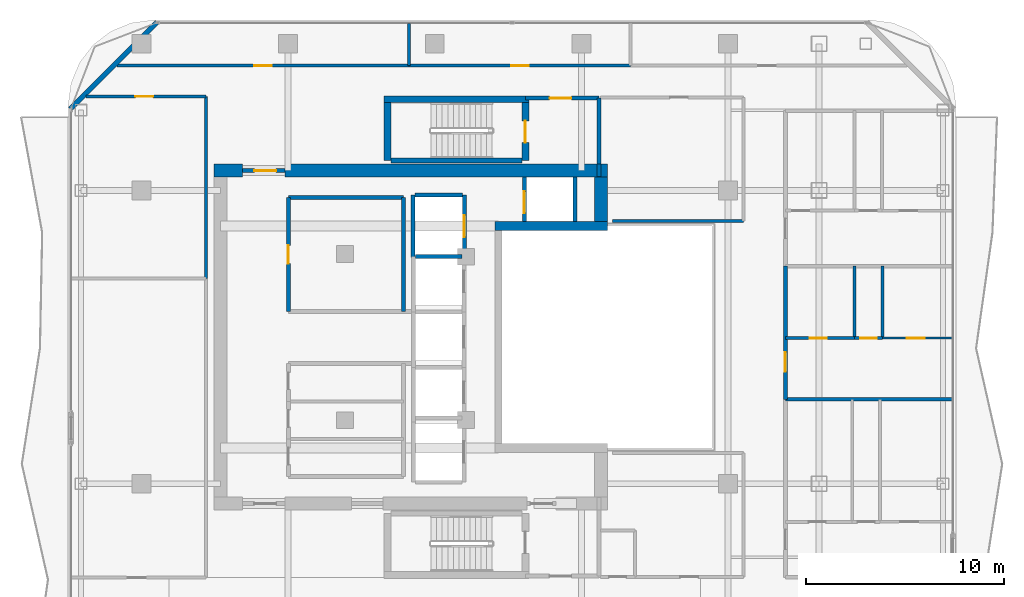
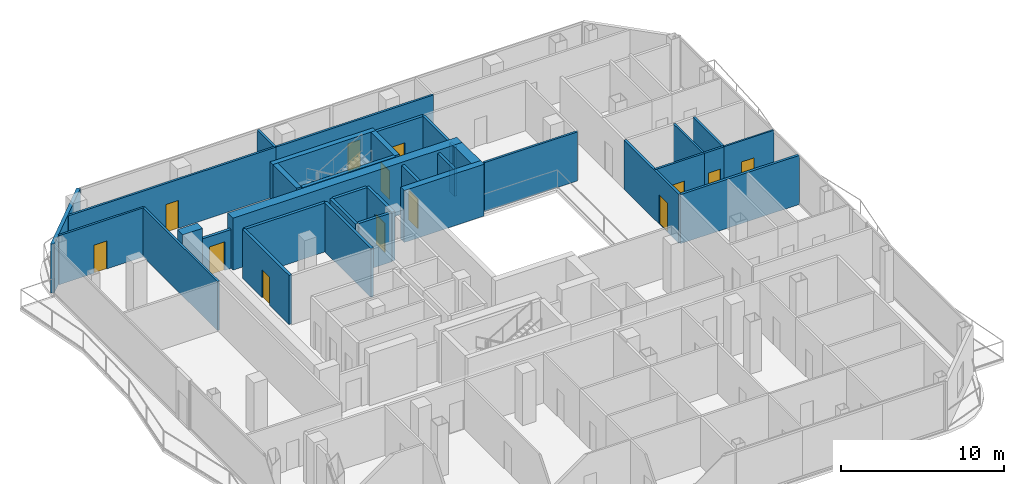
# One storey, part 23 of 27: 35 walls, 13 doors, 13 openings.
"""IFC4 building model written with IfcOpenShell, lengths in metres."""

from ifc_helpers import new_model, si_unit, direction, frame, frame_2d, origin, place, context, subcontext, project, spatial, rectangle, extrude, material, layer, layer_set, type_object, element, fill, save


model = new_model("IFC4")

# Units and contexts
model_context = context("Model", 3, precision=1e-05, world=origin(), true_north=direction((0.0, 1.0)))
body_context = subcontext(model_context, "Body", "Model", "MODEL_VIEW")
ifc_project = project(units=[si_unit("LENGTHUNIT", "METRE"), si_unit("AREAUNIT", "SQUARE_METRE"), si_unit("VOLUMEUNIT", "CUBIC_METRE"), si_unit("PLANEANGLEUNIT", "RADIAN"), si_unit("MASSUNIT", "GRAM", prefix="KILO")], contexts=[model_context])

# Site, building, storey
site_placement = place(None, origin())
site = spatial("IfcSite", under=ifc_project, at=site_placement, CompositionType="ELEMENT")
building_placement = place(site_placement, origin())
building = spatial("IfcBuilding", under=site, at=building_placement, Name="Khorvyn Point Tower", CompositionType="ELEMENT")
storey_placement = place(building_placement, frame((0.0, 0.0, 243.0)))
storey = spatial("IfcBuildingStorey", under=building, at=storey_placement, Name="L59", CompositionType="ELEMENT", Elevation=243.0)

# Wall, opening, door
ifc_material_1 = material(Name="Double acoustic gypsum on twin steel stud", Category="steel")
ifc_layer_1 = layer(ifc_material_1, 0.179931640625)
ifc_layer_set_1 = layer_set([ifc_layer_1], Name="Acoustic Double-Stud Apartment Demising Wall 180")
wall_type_1 = type_object("IfcWallType", Name="Acoustic Double-Stud Apartment Demising Wall 180", PredefinedType="PARTITIONING", material=ifc_layer_set_1)
wall_1_placement = place(storey_placement, frame((17.699951171875, -3.139892578125, 0.0), z_axis=(0.0, 0.0, 1.0), x_axis=(0.0, 1.0, 0.0)))
wall_1 = element("IfcWall", 1, at=wall_1_placement, inside=storey, type_object=wall_type_1, Name="Wall", PredefinedType="PARTITIONING", context=body_context, shape_type="SweptSolid", body=[
    extrude(rectangle(XDim=6.719970703125, YDim=0.179931640625, at=frame_2d((3.35986328125, 0.0))), origin(), (0.0, 0.0, 1.0), 3.679931640625),
])
opening_1_placement = place(wall_1_placement, frame((1.37939453125, 0.0, 0.0)))
opening_1 = element("IfcOpeningElement", 2, at=opening_1_placement, cuts=wall_1, Name="Opening ID-AP60", PredefinedType="OPENING", context=body_context, shape_type="SweptSolid", body=[
    extrude(rectangle(XDim=1.0, YDim=2.199951171875, at=frame_2d((0.5, 1.10009765625))), frame((0.0, 0.099853515625, 0.0), z_axis=(0.0, -1.0, 0.0), x_axis=(1.0, 0.0, 0.0)), (0.0, 0.0, 1.0), 0.199951171875),
])
ifc_material_2 = material(Name="Engineered hardwood fire-rated leaf", Category="wood")
door_type_1 = type_object("IfcDoorType", Name="Acoustic Solid-Core Timber Apartment Entrance Door 1000x2200", OperationType="NOTDEFINED", PredefinedType="DOOR", material=ifc_material_2)
door_1_placement = place(opening_1_placement, origin())
door_1 = element("IfcDoor", 3, at=door_1_placement, inside=storey, type_object=door_type_1, Name="Door", OperationType="SINGLE_SWING_LEFT", OverallHeight=2.199951171875, OverallWidth=1.0, PredefinedType="DOOR", context=body_context, shape_type="SweptSolid", body=[
    extrude(rectangle(XDim=1.0, YDim=2.199951171875, at=frame_2d((0.5, 1.10009765625))), frame((0.0, 0.02490234375, 0.0), z_axis=(0.0, -1.0, 0.0), x_axis=(1.0, 0.0, 0.0)), (0.0, 0.0, 1.0), 0.050048828125),
])
fill(opening_1, door_1)

# Walls
wall_2_placement = place(storey_placement, frame((17.699951171875, -3.139892578125, 0.0), z_axis=(0.0, 0.0, 1.0), x_axis=(1.0, 0.0, 0.0)))
element("IfcWall", 4, at=wall_2_placement, inside=storey, type_object=wall_type_1, Name="Wall", PredefinedType="PARTITIONING", context=body_context, shape_type="SweptSolid", body=[
    extrude(rectangle(XDim=8.429931640625, YDim=0.179931640625, at=frame_2d((4.21484375, 0.0))), origin(), (0.0, 0.0, 1.0), 3.679931640625),
])
ifc_material_3 = material(Name="Pale anodised aluminium rainscreen on steel stud", Category="steel")
ifc_layer_2 = layer(ifc_material_3, 0.239990234375)
ifc_layer_set_2 = layer_set([ifc_layer_2], Name="Anodised Aluminium Insulated Corner Spandrel Wall 240")
wall_type_2 = type_object("IfcWallType", Name="Anodised Aluminium Insulated Corner Spandrel Wall 240", PredefinedType="SOLIDWALL", material=ifc_layer_set_2)
wall_3_placement = place(storey_placement, frame((-18.392333984375, 11.507568359375, 0.0), z_axis=(0.0, 0.0, 1.0), x_axis=(0.707106781187, 0.707106781187, 0.0)))
element("IfcWall", 5, at=wall_3_placement, inside=storey, type_object=wall_type_2, Name="L59 Rounded Corner Wall NW", PredefinedType="SOLIDWALL", context=body_context, shape_type="SweptSolid", body=[
    extrude(rectangle(XDim=6.200927734375, YDim=0.239990234375, at=frame_2d((3.1005859375, 0.0))), origin(), (0.0, 0.0, 1.0), 3.679931640625),
])
ifc_material_4 = material(Name="Concrete C40/50", Category="concrete")
ifc_layer_3 = layer(ifc_material_4, 0.449951171875)
ifc_layer_set_3 = layer_set([ifc_layer_3], Name="Concrete C40/50 Core Shear Wall 450")
wall_type_3 = type_object("IfcWallType", Name="Concrete C40/50 Core Shear Wall 450", PredefinedType="SHEAR", material=ifc_layer_set_3)
wall_4_placement = place(storey_placement, frame((3.044921875, 5.60009765625, 0.0), z_axis=(0.0, 0.0, 1.0), x_axis=(1.0, 0.0, 0.0)))
element("IfcWall", 6, at=wall_4_placement, inside=storey, type_object=wall_type_3, Name="Wall", PredefinedType="SHEAR", context=body_context, shape_type="SweptSolid", body=[
    extrude(rectangle(XDim=5.68017578125, YDim=0.449951171875, at=frame_2d((2.840087890625, 0.0))), origin(), (0.0, 0.0, 1.0), 3.89990234375),
])
ifc_layer_4 = layer(ifc_material_4, 0.64990234375)
ifc_layer_set_4 = layer_set([ifc_layer_4], Name="Concrete C40/50 Core Shear Wall 650")
wall_type_4 = type_object("IfcWallType", Name="Concrete C40/50 Core Shear Wall 650", PredefinedType="SHEAR", material=ifc_layer_set_4)
wall_5_placement = place(storey_placement, frame((-11.125, 8.39990234375, 0.0), z_axis=(0.0, 0.0, 1.0), x_axis=(1.0, 0.0, 0.0)))
element("IfcWall", 7, at=wall_5_placement, inside=storey, type_object=wall_type_4, Name="Wall", PredefinedType="SHEAR", context=body_context, shape_type="SweptSolid", body=[
    extrude(rectangle(XDim=1.425048828125, YDim=0.64990234375, at=frame_2d((0.71240234375, 0.0))), origin(), (0.0, 0.0, 1.0), 3.89990234375),
])
wall_6_placement = place(storey_placement, frame((-7.550048828125, 8.39990234375, 0.0), z_axis=(0.0, 0.0, 1.0), x_axis=(1.0, 0.0, 0.0)))
element("IfcWall", 8, at=wall_6_placement, inside=storey, type_object=wall_type_4, Name="Wall", PredefinedType="SHEAR", context=body_context, shape_type="SweptSolid", body=[
    extrude(rectangle(XDim=16.275146484375, YDim=0.64990234375, at=frame_2d((8.1376953125, 0.0))), origin(), (0.0, 0.0, 1.0), 3.89990234375),
])
wall_7_placement = place(storey_placement, frame((8.39990234375, 5.824951171875, 0.0), z_axis=(0.0, 0.0, 1.0), x_axis=(0.0, 1.0, 0.0)))
element("IfcWall", 9, at=wall_7_placement, inside=storey, type_object=wall_type_4, Name="Wall", PredefinedType="SHEAR", context=body_context, shape_type="SweptSolid", body=[
    extrude(rectangle(XDim=2.25, YDim=0.64990234375, at=frame_2d((1.125, 0.0))), origin(), (0.0, 0.0, 1.0), 3.89990234375),
])

# Wall, opening, door
ifc_layer_5 = layer(ifc_material_4, 0.199951171875)
ifc_layer_set_5 = layer_set([ifc_layer_5], Name="Concrete C40/50 Fire-Lobby Compartment Wall 200")
wall_type_5 = type_object("IfcWallType", Name="Concrete C40/50 Fire-Lobby Compartment Wall 200", PredefinedType="SOLIDWALL", material=ifc_layer_set_5)
wall_8_placement = place(storey_placement, frame((4.580078125, 12.06005859375, 0.0), z_axis=(0.0, 0.0, 1.0), x_axis=(1.0, 0.0, 0.0)))
wall_8 = element("IfcWall", 10, at=wall_8_placement, inside=storey, type_object=wall_type_5, Name="Wall", PredefinedType="SOLIDWALL", context=body_context, shape_type="SweptSolid", body=[
    extrude(rectangle(XDim=3.699951171875, YDim=0.199951171875, at=frame_2d((1.85009765625, 0.0))), origin(), (0.0, 0.0, 1.0), 3.679931640625),
])
opening_2_placement = place(wall_8_placement, frame((1.21240234375, 0.0, 0.0)))
opening_2 = element("IfcOpeningElement", 11, at=opening_2_placement, cuts=wall_8, Name="Opening ID-FL90", PredefinedType="OPENING", context=body_context, shape_type="SweptSolid", body=[
    extrude(rectangle(XDim=1.10009765625, YDim=2.14990234375, at=frame_2d((0.550048828125, 1.074951171875))), frame((0.0, 0.10986328125, 0.0), z_axis=(0.0, -1.0, 0.0), x_axis=(1.0, 0.0, 0.0)), (0.0, 0.0, 1.0), 0.219970703125),
])
ifc_material_5 = material(Name="Galvanised powder-coated steel", Category="steel")
door_type_2 = type_object("IfcDoorType", Name="Fire-Rated Steel Lobby and Stair Door 1100x2150", OperationType="NOTDEFINED", PredefinedType="DOOR", material=ifc_material_5)
door_2_placement = place(opening_2_placement, origin())
door_2 = element("IfcDoor", 12, at=door_2_placement, inside=storey, type_object=door_type_2, Name="Door", OperationType="SINGLE_SWING_RIGHT", OverallHeight=2.14990234375, OverallWidth=1.10009765625, PredefinedType="DOOR", context=body_context, shape_type="SweptSolid", body=[
    extrude(rectangle(XDim=1.10009765625, YDim=2.14990234375, at=frame_2d((0.550048828125, 1.074951171875))), frame((0.0, 0.02490234375, 0.0), z_axis=(0.0, -1.0, 0.0), x_axis=(1.0, 0.0, 0.0)), (0.0, 0.0, 1.0), 0.050048828125),
])
fill(opening_2, door_2)

wall_9_placement = place(storey_placement, frame((-9.699951171875, 8.39990234375, 0.0), z_axis=(0.0, 0.0, 1.0), x_axis=(1.0, 0.0, 0.0)))
wall_9 = element("IfcWall", 13, at=wall_9_placement, inside=storey, type_object=wall_type_5, Name="Wall", PredefinedType="SOLIDWALL", context=body_context, shape_type="SweptSolid", body=[
    extrude(rectangle(XDim=2.14990234375, YDim=0.199951171875, at=frame_2d((1.074951171875, 0.0))), origin(), (0.0, 0.0, 1.0), 2.919921875),
])
opening_3_placement = place(wall_9_placement, frame((0.597900390625, 0.0, 0.0)))
opening_3 = element("IfcOpeningElement", 14, at=opening_3_placement, cuts=wall_9, Name="Opening ID-FL90", PredefinedType="OPENING", context=body_context, shape_type="SweptSolid", body=[
    extrude(rectangle(XDim=1.10009765625, YDim=2.14990234375, at=frame_2d((0.550048828125, 1.074951171875))), frame((0.0, 0.10986328125, 0.0), z_axis=(0.0, -1.0, 0.0), x_axis=(1.0, 0.0, 0.0)), (0.0, 0.0, 1.0), 0.219970703125),
])
door_3_placement = place(opening_3_placement, origin())
door_3 = element("IfcDoor", 15, at=door_3_placement, inside=storey, type_object=door_type_2, Name="Door", OperationType="SINGLE_SWING_RIGHT", OverallHeight=2.14990234375, OverallWidth=1.10009765625, PredefinedType="DOOR", context=body_context, shape_type="SweptSolid", body=[
    extrude(rectangle(XDim=1.10009765625, YDim=2.14990234375, at=frame_2d((0.550048828125, 1.074951171875))), frame((0.0, 0.02490234375, 0.0), z_axis=(0.0, -1.0, 0.0), x_axis=(1.0, 0.0, 0.0)), (0.0, 0.0, 1.0), 0.050048828125),
])
fill(opening_3, door_3)

wall_10_placement = place(storey_placement, frame((-7.3798828125, 1.300048828125, 0.0), z_axis=(0.0, 0.0, 1.0), x_axis=(0.0, 1.0, 0.0)))
wall_10 = element("IfcWall", 16, at=wall_10_placement, inside=storey, type_object=wall_type_5, Name="Wall", PredefinedType="SOLIDWALL", context=body_context, shape_type="SweptSolid", body=[
    extrude(rectangle(XDim=5.739990234375, YDim=0.199951171875, at=frame_2d((2.8701171875, 0.0))), origin(), (0.0, 0.0, 1.0), 3.679931640625),
])
opening_4_placement = place(wall_10_placement, frame((2.409912109375, 0.0, 0.0)))
opening_4 = element("IfcOpeningElement", 17, at=opening_4_placement, cuts=wall_10, Name="Opening ID-RS60", PredefinedType="OPENING", context=body_context, shape_type="SweptSolid", body=[
    extrude(rectangle(XDim=0.919921875, YDim=2.10009765625, at=frame_2d((0.4599609375, 1.050048828125))), frame((0.0, 0.10986328125, 0.0), z_axis=(0.0, -1.0, 0.0), x_axis=(1.0, 0.0, 0.0)), (0.0, 0.0, 1.0), 0.219970703125),
])
door_type_3 = type_object("IfcDoorType", Name="Fire-Rated Riser and Store Steel Door 920x2100", OperationType="NOTDEFINED", PredefinedType="DOOR", material=ifc_material_5)
door_4_placement = place(opening_4_placement, origin())
door_4 = element("IfcDoor", 18, at=door_4_placement, inside=storey, type_object=door_type_3, Name="Door", OperationType="SINGLE_SWING_RIGHT", OverallHeight=2.10009765625, OverallWidth=0.919921875, PredefinedType="DOOR", context=body_context, shape_type="SweptSolid", body=[
    extrude(rectangle(XDim=0.919921875, YDim=2.10009765625, at=frame_2d((0.4599609375, 1.050048828125))), frame((0.0, 0.02490234375, 0.0), z_axis=(0.0, -1.0, 0.0), x_axis=(1.0, 0.0, 0.0)), (0.0, 0.0, 1.0), 0.050048828125),
])
fill(opening_4, door_4)

# Walls
wall_11_placement = place(storey_placement, frame((8.280029296875, 8.72509765625, 0.0), z_axis=(0.0, 0.0, 1.0), x_axis=(0.0, 1.0, 0.0)))
element("IfcWall", 19, at=wall_11_placement, inside=storey, type_object=wall_type_5, Name="Wall", PredefinedType="SOLIDWALL", context=body_context, shape_type="SweptSolid", body=[
    extrude(rectangle(XDim=3.3349609375, YDim=0.199951171875, at=frame_2d((1.66748046875, 0.0))), origin(), (0.0, 0.0, 1.0), 3.679931640625),
])
wall_12_placement = place(storey_placement, frame((-1.580078125, 1.300048828125, 0.0), z_axis=(0.0, 0.0, 1.0), x_axis=(0.0, 1.0, 0.0)))
element("IfcWall", 20, at=wall_12_placement, inside=storey, type_object=wall_type_5, Name="Wall", PredefinedType="SOLIDWALL", context=body_context, shape_type="SweptSolid", body=[
    extrude(rectangle(XDim=5.739990234375, YDim=0.199951171875, at=frame_2d((2.8701171875, 0.0))), origin(), (0.0, 0.0, 1.0), 3.679931640625),
])
wall_13_placement = place(storey_placement, frame((-7.3798828125, 7.0400390625, 0.0), z_axis=(0.0, 0.0, 1.0), x_axis=(1.0, 0.0, 0.0)))
element("IfcWall", 21, at=wall_13_placement, inside=storey, type_object=wall_type_5, Name="Wall", PredefinedType="SOLIDWALL", context=body_context, shape_type="SweptSolid", body=[
    extrude(rectangle(XDim=5.7998046875, YDim=0.199951171875, at=frame_2d((2.89990234375, 0.0))), origin(), (0.0, 0.0, 1.0), 3.679931640625),
])
wall_14_placement = place(storey_placement, frame((8.280029296875, 8.10009765625, 0.0), z_axis=(0.0, 0.0, 1.0), x_axis=(0.0, 1.0, 0.0)))
element("IfcWall", 22, at=wall_14_placement, inside=storey, type_object=wall_type_5, Name="Wall", PredefinedType="SOLIDWALL", context=body_context, shape_type="SweptSolid", body=[
    extrude(rectangle(XDim=0.625, YDim=0.199951171875, at=frame_2d((0.3125, 0.0))), origin(), (0.0, 0.0, 1.0), 3.679931640625),
])
ifc_layer_6 = layer(ifc_material_4, 0.25)
ifc_layer_set_6 = layer_set([ifc_layer_6], Name="Concrete C40/50 Stair Inner Cheek Structural Wall 250")
wall_type_6 = type_object("IfcWallType", Name="Concrete C40/50 Stair Inner Cheek Structural Wall 250", PredefinedType="SHEAR", material=ifc_layer_set_6)
wall_15_placement = place(storey_placement, frame((-2.199951171875, 8.89990234375, 0.0), z_axis=(0.0, 0.0, 1.0), x_axis=(1.0, 0.0, 0.0)))
element("IfcWall", 23, at=wall_15_placement, inside=storey, type_object=wall_type_6, Name="Wall", PredefinedType="SHEAR", context=body_context, shape_type="SweptSolid", body=[
    extrude(rectangle(XDim=6.599853515625, YDim=0.25, at=frame_2d((3.2998046875, 0.0))), origin(), (0.0, 0.0, 1.0), 3.89990234375),
])
ifc_layer_7 = layer(ifc_material_4, 0.35009765625)
ifc_layer_set_7 = layer_set([ifc_layer_7], Name="Concrete C40/50 Stair Shaft Structural Wall 350")
wall_type_7 = type_object("IfcWallType", Name="Concrete C40/50 Stair Shaft Structural Wall 350", PredefinedType="SHEAR", material=ifc_layer_set_7)
wall_16_placement = place(storey_placement, frame((-2.554931640625, 12.0, 0.0), z_axis=(0.0, 0.0, 1.0), x_axis=(1.0, 0.0, 0.0)))
element("IfcWall", 24, at=wall_16_placement, inside=storey, type_object=wall_type_7, Name="L59 ST-02 North Shaft Wall", PredefinedType="SHEAR", context=body_context, shape_type="SweptSolid", body=[
    extrude(rectangle(XDim=7.309814453125, YDim=0.35009765625, at=frame_2d((3.65478515625, 0.0))), origin(), (0.0, 0.0, 1.0), 3.89990234375),
])
wall_17_placement = place(storey_placement, frame((-2.3798828125, 8.89990234375, 0.0), z_axis=(0.0, 0.0, 1.0), x_axis=(0.0, 1.0, 0.0)))
element("IfcWall", 25, at=wall_17_placement, inside=storey, type_object=wall_type_7, Name="L59 ST-02 West Shaft Wall", PredefinedType="SHEAR", context=body_context, shape_type="SweptSolid", body=[
    extrude(rectangle(XDim=2.925048828125, YDim=0.35009765625, at=frame_2d((1.46240234375, 0.0))), origin(), (0.0, 0.0, 1.0), 3.89990234375),
])

# Wall, opening, door
wall_18_placement = place(storey_placement, frame((4.580078125, 11.824951171875, 0.0), z_axis=(0.0, 0.0, 1.0), x_axis=(0.0, -1.0, 0.0)))
wall_18 = element("IfcWall", 26, at=wall_18_placement, inside=storey, type_object=wall_type_7, Name="L59 ST-02 East Landing Door Wall", PredefinedType="SHEAR", context=body_context, shape_type="SweptSolid", body=[
    extrude(rectangle(XDim=2.925048828125, YDim=0.35009765625, at=frame_2d((1.46240234375, 0.0))), origin(), (0.0, 0.0, 1.0), 3.89990234375),
])
opening_5_placement = place(wall_18_placement, frame((0.91259765625, 0.0, 0.0)))
opening_5 = element("IfcOpeningElement", 27, at=opening_5_placement, cuts=wall_18, Name="Opening ID-FL90", PredefinedType="OPENING", context=body_context, shape_type="SweptSolid", body=[
    extrude(rectangle(XDim=1.10009765625, YDim=2.14990234375, at=frame_2d((0.550048828125, 1.074951171875))), frame((0.0, 0.18505859375, 0.0), z_axis=(0.0, -1.0, 0.0), x_axis=(1.0, 0.0, 0.0)), (0.0, 0.0, 1.0), 0.3701171875),
])
door_5_placement = place(opening_5_placement, origin())
door_5 = element("IfcDoor", 28, at=door_5_placement, inside=storey, type_object=door_type_2, Name="L59 ST-02 Smokeproof Landing Door", OperationType="SINGLE_SWING_RIGHT", OverallHeight=2.14990234375, OverallWidth=1.10009765625, PredefinedType="DOOR", context=body_context, shape_type="SweptSolid", body=[
    extrude(rectangle(XDim=1.10009765625, YDim=2.14990234375, at=frame_2d((0.550048828125, 1.074951171875))), frame((0.0, 0.02490234375, 0.0), z_axis=(0.0, -1.0, 0.0), x_axis=(1.0, 0.0, 0.0)), (0.0, 0.0, 1.0), 0.050048828125),
])
fill(opening_5, door_5)

# Walls
ifc_layer_8 = layer(ifc_material_4, 0.199951171875)
ifc_layer_set_8 = layer_set([ifc_layer_8], Name="Concrete C40/50 Structural Hoistway and Stair Shaft Wall 200")
wall_type_8 = type_object("IfcWallType", Name="Concrete C40/50 Structural Hoistway and Stair Shaft Wall 200", PredefinedType="SHEAR", material=ifc_layer_set_8)
wall_19_placement = place(storey_placement, frame((-0.97509765625, 4.074951171875, 0.0), z_axis=(0.0, 0.0, 1.0), x_axis=(1.0, 0.0, 0.0)))
element("IfcWall", 29, at=wall_19_placement, inside=storey, type_object=wall_type_8, Name="Wall", PredefinedType="SHEAR", context=body_context, shape_type="SweptSolid", body=[
    extrude(rectangle(XDim=2.35009765625, YDim=0.199951171875, at=frame_2d((1.175048828125, 0.0))), origin(), (0.0, 0.0, 1.0), 3.679931640625),
])
wall_20_placement = place(storey_placement, frame((-1.10009765625, 4.02490234375, 0.0), z_axis=(0.0, 0.0, 1.0), x_axis=(0.0, 1.0, 0.0)))
element("IfcWall", 30, at=wall_20_placement, inside=storey, type_object=wall_type_8, Name="Wall", PredefinedType="SHEAR", context=body_context, shape_type="SweptSolid", body=[
    extrude(rectangle(XDim=3.150146484375, YDim=0.199951171875, at=frame_2d((1.5751953125, 0.0))), origin(), (0.0, 0.0, 1.0), 3.679931640625),
])

# Wall, opening, door
wall_21_placement = place(storey_placement, frame((1.5, 4.02490234375, 0.0), z_axis=(0.0, 0.0, 1.0), x_axis=(0.0, 1.0, 0.0)))
wall_21 = element("IfcWall", 31, at=wall_21_placement, inside=storey, type_object=wall_type_8, Name="Wall", PredefinedType="SHEAR", context=body_context, shape_type="SweptSolid", body=[
    extrude(rectangle(XDim=3.150146484375, YDim=0.199951171875, at=frame_2d((1.5751953125, 0.0))), origin(), (0.0, 0.0, 1.0), 3.679931640625),
])
opening_6_placement = place(wall_21_placement, frame((1.02490234375, 0.0, 0.0)))
opening_6 = element("IfcOpeningElement", 32, at=opening_6_placement, cuts=wall_21, Name="Opening LD-1122", PredefinedType="OPENING", context=body_context, shape_type="SweptSolid", body=[
    extrude(rectangle(XDim=1.10009765625, YDim=2.199951171875, at=frame_2d((0.550048828125, 1.10009765625))), frame((0.0, 0.10986328125, 0.0), z_axis=(0.0, -1.0, 0.0), x_axis=(1.0, 0.0, 0.0)), (0.0, 0.0, 1.0), 0.219970703125),
])
ifc_material_6 = material(Name="Stainless steel 1.4301", Category="steel")
door_type_4 = type_object("IfcDoorType", Name="Stainless Steel Automatic Sliding Lift Landing Door 1100x2200", OperationType="SLIDING_TO_LEFT", PredefinedType="DOOR", material=ifc_material_6)
door_6_placement = place(opening_6_placement, origin())
door_6 = element("IfcDoor", 33, at=door_6_placement, inside=storey, type_object=door_type_4, Name="L59 SV-01 Sliding Lift Landing Door", OperationType="SLIDING_TO_LEFT", OverallHeight=2.199951171875, OverallWidth=1.10009765625, PredefinedType="DOOR", context=body_context, shape_type="SweptSolid", body=[
    extrude(rectangle(XDim=1.10009765625, YDim=2.199951171875, at=frame_2d((0.550048828125, 1.10009765625))), frame((0.0, 0.02490234375, 0.0), z_axis=(0.0, -1.0, 0.0), x_axis=(1.0, 0.0, 0.0)), (0.0, 0.0, 1.0), 0.050048828125),
])
fill(opening_6, door_6)

# Wall
wall_22_placement = place(storey_placement, frame((-1.0, 7.175048828125, 0.0), z_axis=(0.0, 0.0, 1.0), x_axis=(1.0, 0.0, 0.0)))
element("IfcWall", 34, at=wall_22_placement, inside=storey, type_object=wall_type_8, Name="Wall", PredefinedType="SHEAR", context=body_context, shape_type="SweptSolid", body=[
    extrude(rectangle(XDim=2.39990234375, YDim=0.199951171875, at=frame_2d((1.199951171875, 0.0))), origin(), (0.0, 0.0, 1.0), 3.679931640625),
])

# Wall, opening, door
wall_23_placement = place(storey_placement, frame((4.52490234375, 5.824951171875, 0.0), z_axis=(0.0, 0.0, 1.0), x_axis=(0.0, 1.0, 0.0)))
wall_23 = element("IfcWall", 35, at=wall_23_placement, inside=storey, type_object=wall_type_8, Name="Wall", PredefinedType="SHEAR", context=body_context, shape_type="SweptSolid", body=[
    extrude(rectangle(XDim=2.25, YDim=0.199951171875, at=frame_2d((1.125, 0.0))), origin(), (0.0, 0.0, 1.0), 3.679931640625),
])
opening_7_placement = place(wall_23_placement, frame((0.425048828125, 0.0, 0.0)))
opening_7 = element("IfcOpeningElement", 36, at=opening_7_placement, cuts=wall_23, Name="Opening LD-1122", PredefinedType="OPENING", context=body_context, shape_type="SweptSolid", body=[
    extrude(rectangle(XDim=1.10009765625, YDim=2.199951171875, at=frame_2d((0.550048828125, 1.10009765625))), frame((0.0, 0.10986328125, 0.0), z_axis=(0.0, -1.0, 0.0), x_axis=(1.0, 0.0, 0.0)), (0.0, 0.0, 1.0), 0.219970703125),
])
door_7_placement = place(opening_7_placement, origin())
door_7 = element("IfcDoor", 37, at=door_7_placement, inside=storey, type_object=door_type_4, Name="L59 FF-02 Sliding Lift Landing Door", OperationType="SLIDING_TO_LEFT", OverallHeight=2.199951171875, OverallWidth=1.10009765625, PredefinedType="DOOR", context=body_context, shape_type="SweptSolid", body=[
    extrude(rectangle(XDim=1.10009765625, YDim=2.199951171875, at=frame_2d((0.550048828125, 1.10009765625))), frame((0.0, 0.02490234375, 0.0), z_axis=(0.0, -1.0, 0.0), x_axis=(1.0, 0.0, 0.0)), (0.0, 0.0, 1.0), 0.050048828125),
])
fill(opening_7, door_7)

# Wall
wall_24_placement = place(storey_placement, frame((7.074951171875, 5.824951171875, 0.0), z_axis=(0.0, 0.0, 1.0), x_axis=(0.0, 1.0, 0.0)))
element("IfcWall", 38, at=wall_24_placement, inside=storey, type_object=wall_type_8, Name="Wall", PredefinedType="SHEAR", context=body_context, shape_type="SweptSolid", body=[
    extrude(rectangle(XDim=2.25, YDim=0.199951171875, at=frame_2d((1.125, 0.0))), origin(), (0.0, 0.0, 1.0), 3.679931640625),
])

# Wall, opening, door
ifc_material_7 = material(Name="Gypsum plasterboard on steel stud", Category="steel")
ifc_layer_9 = layer(ifc_material_7, 0.1201171875)
ifc_layer_set_9 = layer_set([ifc_layer_9], Name="Gypsum Acoustic Stud Room Partition Wall 120")
wall_type_9 = type_object("IfcWallType", Name="Gypsum Acoustic Stud Room Partition Wall 120", PredefinedType="PARTITIONING", material=ifc_layer_set_9)
wall_25_placement = place(storey_placement, frame((22.5869140625, -0.049072265625, 0.0), z_axis=(0.0, 0.0, 1.0), x_axis=(1.0, 0.0, 0.0)))
wall_25 = element("IfcWall", 39, at=wall_25_placement, inside=storey, type_object=wall_type_9, Name="Wall", PredefinedType="PARTITIONING", context=body_context, shape_type="SweptSolid", body=[
    extrude(rectangle(XDim=3.54296875, YDim=0.1201171875, at=frame_2d((1.771484375, 0.0))), origin(), (0.0, 0.0, 1.0), 3.679931640625),
])
opening_8_placement = place(wall_25_placement, frame((1.232177734375, 0.0, 0.0)))
opening_8 = element("IfcOpeningElement", 40, at=opening_8_placement, cuts=wall_25, Name="Opening ID-RM90", PredefinedType="OPENING", context=body_context, shape_type="SweptSolid", body=[
    extrude(rectangle(XDim=0.89990234375, YDim=2.10009765625, at=frame_2d((0.449951171875, 1.050048828125))), frame((0.0, 0.070068359375, 0.0), z_axis=(0.0, -1.0, 0.0), x_axis=(1.0, 0.0, 0.0)), (0.0, 0.0, 1.0), 0.14013671875),
])
ifc_material_8 = material(Name="Engineered oak veneer timber", Category="wood")
door_type_5 = type_object("IfcDoorType", Name="Flush Engineered Timber Room Door 900x2100", OperationType="NOTDEFINED", PredefinedType="DOOR", material=ifc_material_8)
door_8_placement = place(opening_8_placement, origin())
door_8 = element("IfcDoor", 41, at=door_8_placement, inside=storey, type_object=door_type_5, Name="Door", OperationType="SINGLE_SWING_RIGHT", OverallHeight=2.10009765625, OverallWidth=0.89990234375, PredefinedType="DOOR", context=body_context, shape_type="SweptSolid", body=[
    extrude(rectangle(XDim=0.89990234375, YDim=2.10009765625, at=frame_2d((0.449951171875, 1.050048828125))), frame((0.0, 0.02490234375, 0.0), z_axis=(0.0, -1.0, 0.0), x_axis=(1.0, 0.0, 0.0)), (0.0, 0.0, 1.0), 0.050048828125),
])
fill(opening_8, door_8)

ifc_material_9 = material(Name="Moisture-resistant gypsum and cement board", Category="gypsum")
ifc_layer_10 = layer(ifc_material_9, 0.14990234375)
ifc_layer_set_10 = layer_set([ifc_layer_10], Name="Moisture-Resistant Wet-Room Partition Wall 150")
wall_type_10 = type_object("IfcWallType", Name="Moisture-Resistant Wet-Room Partition Wall 150", PredefinedType="PARTITIONING", material=ifc_layer_set_10)
wall_26_placement = place(storey_placement, frame((-16.030029296875, 13.699951171875, 0.0), z_axis=(0.0, 0.0, 1.0), x_axis=(1.0, 0.0, 0.0)))
wall_26 = element("IfcWall", 42, at=wall_26_placement, inside=storey, type_object=wall_type_10, Name="Wall", PredefinedType="PARTITIONING", context=body_context, shape_type="SweptSolid", body=[
    extrude(rectangle(XDim=14.738037109375, YDim=0.14990234375, at=frame_2d((7.369140625, 0.0))), origin(), (0.0, 0.0, 1.0), 3.679931640625),
])
opening_9_placement = place(wall_26_placement, frame((6.9189453125, 0.0, 0.0)))
opening_9 = element("IfcOpeningElement", 43, at=opening_9_placement, cuts=wall_26, Name="Opening ID-RM90", PredefinedType="OPENING", context=body_context, shape_type="SweptSolid", body=[
    extrude(rectangle(XDim=0.89990234375, YDim=2.10009765625, at=frame_2d((0.449951171875, 1.050048828125))), frame((0.0, 0.0849609375, 0.0), z_axis=(0.0, -1.0, 0.0), x_axis=(1.0, 0.0, 0.0)), (0.0, 0.0, 1.0), 0.169921875),
])
door_9_placement = place(opening_9_placement, origin())
door_9 = element("IfcDoor", 44, at=door_9_placement, inside=storey, type_object=door_type_5, Name="Door", OperationType="SINGLE_SWING_RIGHT", OverallHeight=2.10009765625, OverallWidth=0.89990234375, PredefinedType="DOOR", context=body_context, shape_type="SweptSolid", body=[
    extrude(rectangle(XDim=0.89990234375, YDim=2.10009765625, at=frame_2d((0.449951171875, 1.050048828125))), frame((0.0, 0.02490234375, 0.0), z_axis=(0.0, -1.0, 0.0), x_axis=(1.0, 0.0, 0.0)), (0.0, 0.0, 1.0), 0.050048828125),
])
fill(opening_9, door_9)

wall_27_placement = place(storey_placement, frame((-1.2919921875, 13.699951171875, 0.0), z_axis=(0.0, 0.0, 1.0), x_axis=(1.0, 0.0, 0.0)))
wall_27 = element("IfcWall", 45, at=wall_27_placement, inside=storey, type_object=wall_type_10, Name="Wall", PredefinedType="PARTITIONING", context=body_context, shape_type="SweptSolid", body=[
    extrude(rectangle(XDim=11.18310546875, YDim=0.14990234375, at=frame_2d((5.591552734375, 0.0))), origin(), (0.0, 0.0, 1.0), 3.679931640625),
])
opening_10_placement = place(wall_27_placement, frame((5.1416015625, 0.0, 0.0)))
opening_10 = element("IfcOpeningElement", 46, at=opening_10_placement, cuts=wall_27, Name="Opening ID-RM90", PredefinedType="OPENING", context=body_context, shape_type="SweptSolid", body=[
    extrude(rectangle(XDim=0.89990234375, YDim=2.10009765625, at=frame_2d((0.449951171875, 1.050048828125))), frame((0.0, 0.0849609375, 0.0), z_axis=(0.0, -1.0, 0.0), x_axis=(1.0, 0.0, 0.0)), (0.0, 0.0, 1.0), 0.169921875),
])
door_10_placement = place(opening_10_placement, origin())
door_10 = element("IfcDoor", 47, at=door_10_placement, inside=storey, type_object=door_type_5, Name="Door", OperationType="SINGLE_SWING_LEFT", OverallHeight=2.10009765625, OverallWidth=0.89990234375, PredefinedType="DOOR", context=body_context, shape_type="SweptSolid", body=[
    extrude(rectangle(XDim=0.89990234375, YDim=2.10009765625, at=frame_2d((0.449951171875, 1.050048828125))), frame((0.0, 0.02490234375, 0.0), z_axis=(0.0, -1.0, 0.0), x_axis=(1.0, 0.0, 0.0)), (0.0, 0.0, 1.0), 0.050048828125),
])
fill(opening_10, door_10)

wall_28_placement = place(storey_placement, frame((-17.590087890625, 12.139892578125, 0.0), z_axis=(0.0, 0.0, 1.0), x_axis=(1.0, 0.0, 0.0)))
wall_28 = element("IfcWall", 48, at=wall_28_placement, inside=storey, type_object=wall_type_10, Name="Wall", PredefinedType="PARTITIONING", context=body_context, shape_type="SweptSolid", body=[
    extrude(rectangle(XDim=6.0400390625, YDim=0.14990234375, at=frame_2d((3.02001953125, 0.0))), origin(), (0.0, 0.0, 1.0), 3.679931640625),
])
opening_11_placement = place(wall_28_placement, frame((2.480712890625, 0.0, 0.0)))
opening_11 = element("IfcOpeningElement", 49, at=opening_11_placement, cuts=wall_28, Name="Opening ID-RM90", PredefinedType="OPENING", context=body_context, shape_type="SweptSolid", body=[
    extrude(rectangle(XDim=0.89990234375, YDim=2.10009765625, at=frame_2d((0.449951171875, 1.050048828125))), frame((0.0, 0.0849609375, 0.0), z_axis=(0.0, -1.0, 0.0), x_axis=(1.0, 0.0, 0.0)), (0.0, 0.0, 1.0), 0.169921875),
])
door_11_placement = place(opening_11_placement, origin())
door_11 = element("IfcDoor", 50, at=door_11_placement, inside=storey, type_object=door_type_5, Name="Door", OperationType="SINGLE_SWING_RIGHT", OverallHeight=2.10009765625, OverallWidth=0.89990234375, PredefinedType="DOOR", context=body_context, shape_type="SweptSolid", body=[
    extrude(rectangle(XDim=0.89990234375, YDim=2.10009765625, at=frame_2d((0.449951171875, 1.050048828125))), frame((0.0, 0.02490234375, 0.0), z_axis=(0.0, -1.0, 0.0), x_axis=(1.0, 0.0, 0.0)), (0.0, 0.0, 1.0), 0.050048828125),
])
fill(opening_11, door_11)

wall_29_placement = place(storey_placement, frame((17.699951171875, -0.049072265625, 0.0), z_axis=(0.0, 0.0, 1.0), x_axis=(1.0, 0.0, 0.0)))
wall_29 = element("IfcWall", 51, at=wall_29_placement, inside=storey, type_object=wall_type_10, Name="Wall", PredefinedType="PARTITIONING", context=body_context, shape_type="SweptSolid", body=[
    extrude(rectangle(XDim=3.487060546875, YDim=0.14990234375, at=frame_2d((1.74365234375, 0.0))), origin(), (0.0, 0.0, 1.0), 3.679931640625),
])
opening_12_placement = place(wall_29_placement, frame((1.2294921875, 0.0, 0.0)))
opening_12 = element("IfcOpeningElement", 52, at=opening_12_placement, cuts=wall_29, Name="Opening ID-WC85", PredefinedType="OPENING", context=body_context, shape_type="SweptSolid", body=[
    extrude(rectangle(XDim=0.85009765625, YDim=2.10009765625, at=frame_2d((0.425048828125, 1.050048828125))), frame((0.0, 0.0849609375, 0.0), z_axis=(0.0, -1.0, 0.0), x_axis=(1.0, 0.0, 0.0)), (0.0, 0.0, 1.0), 0.169921875),
])
ifc_material_10 = material(Name="High-pressure laminate on moisture-resistant core", Category="wood")
door_type_6 = type_object("IfcDoorType", Name="Moisture-Resistant Accessible Washroom Door 850x2100", OperationType="NOTDEFINED", PredefinedType="DOOR", material=ifc_material_10)
door_12_placement = place(opening_12_placement, origin())
door_12 = element("IfcDoor", 53, at=door_12_placement, inside=storey, type_object=door_type_6, Name="Door", OperationType="SINGLE_SWING_RIGHT", OverallHeight=2.10009765625, OverallWidth=0.85009765625, PredefinedType="DOOR", context=body_context, shape_type="SweptSolid", body=[
    extrude(rectangle(XDim=0.85009765625, YDim=2.10009765625, at=frame_2d((0.425048828125, 1.050048828125))), frame((0.0, 0.02490234375, 0.0), z_axis=(0.0, -1.0, 0.0), x_axis=(1.0, 0.0, 0.0)), (0.0, 0.0, 1.0), 0.050048828125),
])
fill(opening_12, door_12)

wall_30_placement = place(storey_placement, frame((21.18701171875, -0.049072265625, 0.0), z_axis=(0.0, 0.0, 1.0), x_axis=(1.0, 0.0, 0.0)))
wall_30 = element("IfcWall", 54, at=wall_30_placement, inside=storey, type_object=wall_type_10, Name="Wall", PredefinedType="PARTITIONING", context=body_context, shape_type="SweptSolid", body=[
    extrude(rectangle(XDim=1.39990234375, YDim=0.14990234375, at=frame_2d((0.699951171875, 0.0))), origin(), (0.0, 0.0, 1.0), 3.679931640625),
])
opening_13_placement = place(wall_30_placement, frame((0.27490234375, 0.0, 0.0)))
opening_13 = element("IfcOpeningElement", 55, at=opening_13_placement, cuts=wall_30, Name="Opening ID-WC85", PredefinedType="OPENING", context=body_context, shape_type="SweptSolid", body=[
    extrude(rectangle(XDim=0.85009765625, YDim=2.10009765625, at=frame_2d((0.425048828125, 1.050048828125))), frame((0.0, 0.0849609375, 0.0), z_axis=(0.0, -1.0, 0.0), x_axis=(1.0, 0.0, 0.0)), (0.0, 0.0, 1.0), 0.169921875),
])
door_13_placement = place(opening_13_placement, origin())
door_13 = element("IfcDoor", 56, at=door_13_placement, inside=storey, type_object=door_type_6, Name="Door", OperationType="SINGLE_SWING_LEFT", OverallHeight=2.10009765625, OverallWidth=0.85009765625, PredefinedType="DOOR", context=body_context, shape_type="SweptSolid", body=[
    extrude(rectangle(XDim=0.85009765625, YDim=2.10009765625, at=frame_2d((0.425048828125, 1.050048828125))), frame((0.0, 0.02490234375, 0.0), z_axis=(0.0, -1.0, 0.0), x_axis=(1.0, 0.0, 0.0)), (0.0, 0.0, 1.0), 0.050048828125),
])
fill(opening_13, door_13)

# Walls
wall_31_placement = place(storey_placement, frame((8.9599609375, 5.85009765625, 0.0), z_axis=(0.0, 0.0, 1.0), x_axis=(1.0, 0.0, 0.0)))
element("IfcWall", 57, at=wall_31_placement, inside=storey, type_object=wall_type_10, Name="Wall", PredefinedType="PARTITIONING", context=body_context, shape_type="SweptSolid", body=[
    extrude(rectangle(XDim=6.6201171875, YDim=0.14990234375, at=frame_2d((3.31005859375, 0.0))), origin(), (0.0, 0.0, 1.0), 3.679931640625),
])
wall_32_placement = place(storey_placement, frame((-1.2919921875, 13.699951171875, 0.0), z_axis=(0.0, 0.0, 1.0), x_axis=(0.0, 1.0, 0.0)))
element("IfcWall", 58, at=wall_32_placement, inside=storey, type_object=wall_type_10, Name="Wall", PredefinedType="PARTITIONING", context=body_context, shape_type="SweptSolid", body=[
    extrude(rectangle(XDim=2.130126953125, YDim=0.14990234375, at=frame_2d((1.06494140625, 0.0))), origin(), (0.0, 0.0, 1.0), 3.679931640625),
])
wall_33_placement = place(storey_placement, frame((-11.550048828125, 2.949951171875, 0.0), z_axis=(0.0, 0.0, 1.0), x_axis=(0.0, 1.0, 0.0)))
element("IfcWall", 59, at=wall_33_placement, inside=storey, type_object=wall_type_10, Name="Wall", PredefinedType="PARTITIONING", context=body_context, shape_type="SweptSolid", body=[
    extrude(rectangle(XDim=9.18994140625, YDim=0.14990234375, at=frame_2d((4.594970703125, 0.0))), origin(), (0.0, 0.0, 1.0), 3.679931640625),
])
for number, where, z_axis, x_axis, name in (
    (60, (21.18701171875, -0.049072265625, 0.0), (0.0, 0.0, 1.0), (0.0, 1.0, 0.0), "Wall"),
    (61, (22.5869140625, -0.049072265625, 0.0), (0.0, 0.0, 1.0), (0.0, 1.0, 0.0), "Wall"),
):
    element("IfcWall", number, at=place(storey_placement, frame(where, z_axis=z_axis, x_axis=x_axis)), inside=storey, type_object=wall_type_10, Name=name, PredefinedType="PARTITIONING", context=body_context, shape_type="SweptSolid", body=[
        extrude(rectangle(XDim=3.629150390625, YDim=0.14990234375, at=frame_2d((1.814453125, 0.0))), origin(), (0.0, 0.0, 1.0), 3.679931640625),
    ])

save(model, "model.ifc")
